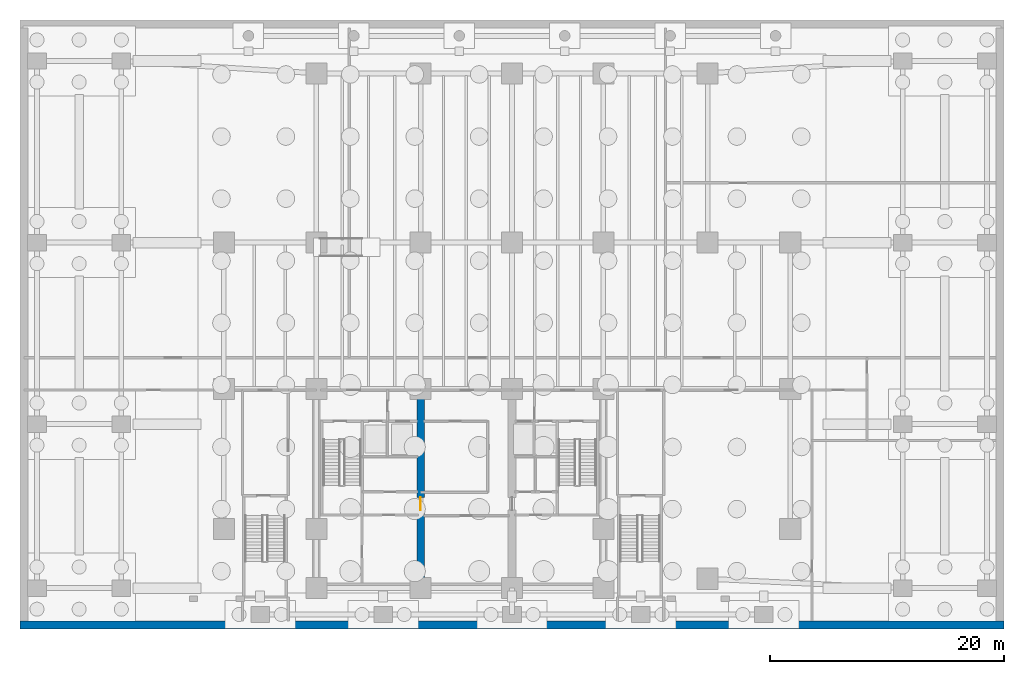
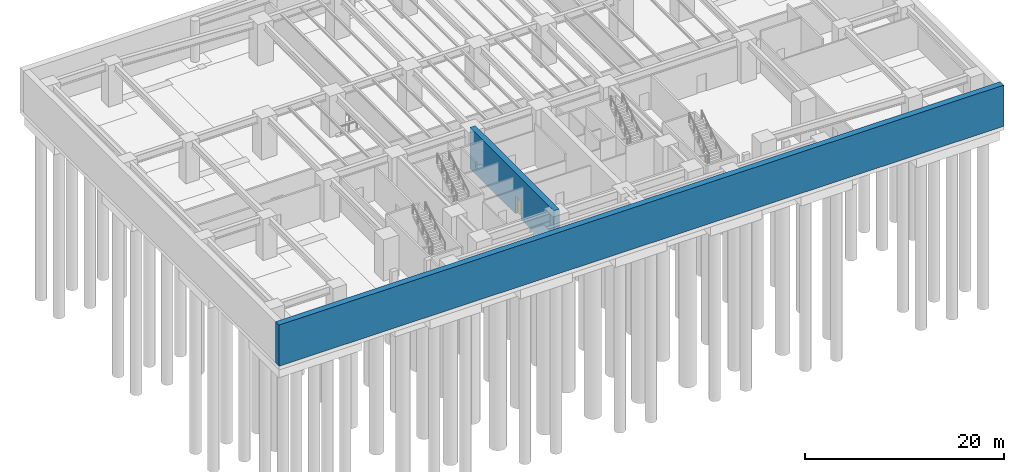
# One storey, part 6 of 12: 2 walls, 1 door, 1 opening.
"""IFC4 building model written with IfcOpenShell, lengths in metres."""

from ifc_helpers import new_model, si_unit, direction, frame, frame_2d, origin, place, context, subcontext, project, spatial, rectangle, extrude, material, layer, layer_set, type_object, element, fill, save


model = new_model("IFC4")

# Units and contexts
model_context = context("Model", 3, precision=1e-05, world=origin(), true_north=direction((0.0, 1.0)))
body_context = subcontext(model_context, "Body", "Model", "MODEL_VIEW")
ifc_project = project(units=[si_unit("LENGTHUNIT", "METRE"), si_unit("AREAUNIT", "SQUARE_METRE"), si_unit("VOLUMEUNIT", "CUBIC_METRE"), si_unit("PLANEANGLEUNIT", "RADIAN"), si_unit("MASSUNIT", "GRAM", prefix="KILO")], contexts=[model_context])

# Site, building, storey
site_placement = place(None, origin())
site = spatial("IfcSite", under=ifc_project, at=site_placement, CompositionType="ELEMENT")
building_placement = place(site_placement, origin())
building = spatial("IfcBuilding", under=site, at=building_placement, Name="Qalmaran Belvedere Hotel", CompositionType="ELEMENT")
storey_placement = place(building_placement, frame((0.0, 0.0, -5.39990234375)))
storey = spatial("IfcBuildingStorey", under=building, at=storey_placement, Name="B01", CompositionType="ELEMENT", Elevation=-5.39990234375)

# Wall, opening, door
ifc_material_1 = material(Name="Concrete C60/75", Category="concrete")
ifc_layer_1 = layer(ifc_material_1, 0.64990234375, Name="Concrete C60/75")
ifc_layer_set_1 = layer_set([ifc_layer_1], Name="Concrete C60/75")
wall_type_1 = type_object("IfcWallType", Name="WL-CORE-650-C60", PredefinedType="SHEAR", material=ifc_layer_set_1)
wall_1_placement = place(storey_placement, frame((29.199951171875, 3.5, 0.0), z_axis=(0.0, 0.0, 1.0), x_axis=(0.0, 1.0, 0.0)))
wall_1 = element("IfcWall", 1, at=wall_1_placement, inside=storey, type_object=wall_type_1, Name="B01 Core West Spine Shear Wall", PredefinedType="SHEAR", context=body_context, shape_type="SweptSolid", body=[
    extrude(rectangle(XDim=16.89990234375, YDim=0.64990234375, at=frame_2d((8.449951171875, 0.0))), origin(), (0.0, 0.0, 1.0), 5.0498046875),
])
opening_placement = place(wall_1_placement, frame((7.75, 0.0, 0.0), z_axis=(0.0, 0.0, 1.0), x_axis=(-1.0, 0.0, 0.0)))
opening = element("IfcOpeningElement", 2, at=opening_placement, cuts=wall_1, Name="Opening FD90", PredefinedType="OPENING", context=body_context, shape_type="SweptSolid", body=[
    extrude(rectangle(XDim=1.10009765625, YDim=2.14990234375, at=frame_2d((0.550048828125, 1.074951171875))), frame((0.0, 0.3349609375, 0.0), z_axis=(0.0, -1.0, 0.0), x_axis=(1.0, 0.0, 0.0)), (0.0, 0.0, 1.0), 0.669921875),
])
ifc_material_2 = material(Name="Steel S355JR", Category="steel")
door_type = type_object("IfcDoorType", Name="DR-FD90-1100X2150", OperationType="NOTDEFINED", PredefinedType="DOOR", material=ifc_material_2)
door_placement = place(opening_placement, origin())
door = element("IfcDoor", 3, at=door_placement, inside=storey, type_object=door_type, Name="B01 Core West Cross-Lobby Door", OperationType="SINGLE_SWING_LEFT", OverallHeight=2.14990234375, OverallWidth=1.10009765625, PredefinedType="DOOR", context=body_context, shape_type="SweptSolid", body=[
    extrude(rectangle(XDim=1.10009765625, YDim=2.14990234375, at=frame_2d((0.550048828125, 1.074951171875))), frame((0.0, 0.02490234375, 0.0), z_axis=(0.0, -1.0, 0.0), x_axis=(1.0, 0.0, 0.0)), (0.0, 0.0, 1.0), 0.050048828125),
])
fill(opening, door)

# Wall
ifc_layer_2 = layer(ifc_material_1, 0.699951171875, Name="Concrete C60/75")
ifc_layer_set_2 = layer_set([ifc_layer_2], Name="Concrete C60/75")
wall_type_2 = type_object("IfcWallType", Name="WL-RET-700-C60", PredefinedType="SOLIDWALL", material=ifc_layer_set_2)
wall_2_placement = place(storey_placement, frame((-5.0, 0.35009765625, 0.0), z_axis=(0.0, 0.0, 1.0), x_axis=(1.0, 0.0, 0.0)))
element("IfcWall", 4, at=wall_2_placement, inside=storey, type_object=wall_type_2, Name="B01 Perimeter Retaining Wall S", PredefinedType="SOLIDWALL", context=body_context, shape_type="SweptSolid", body=[
    extrude(rectangle(XDim=84.0, YDim=0.699951171875, at=frame_2d((42.0, 0.0))), origin(), (0.0, 0.0, 1.0), 5.0498046875),
])

save(model, "model.ifc")
